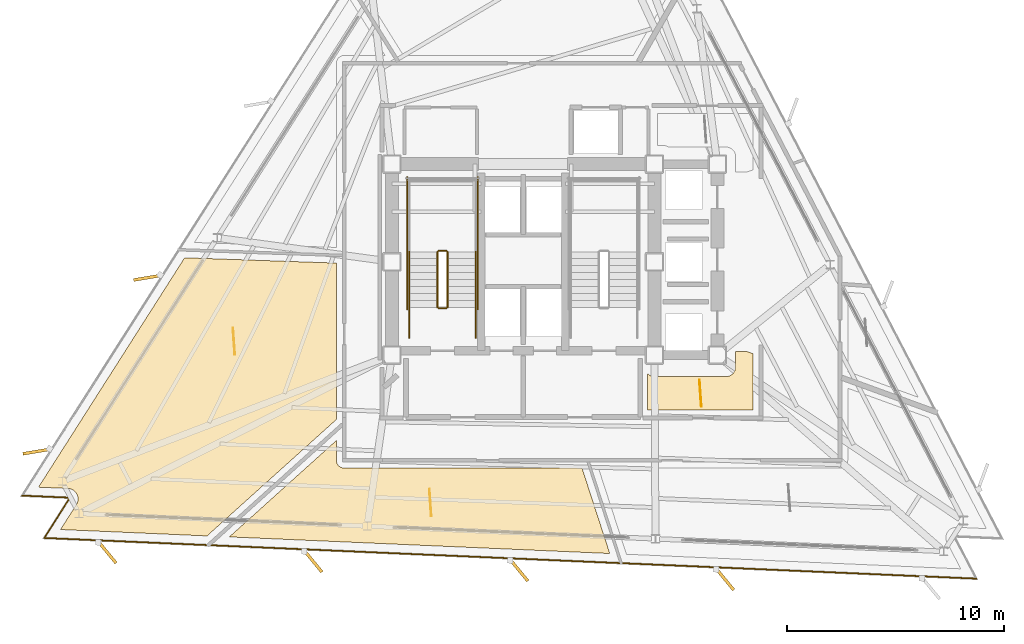
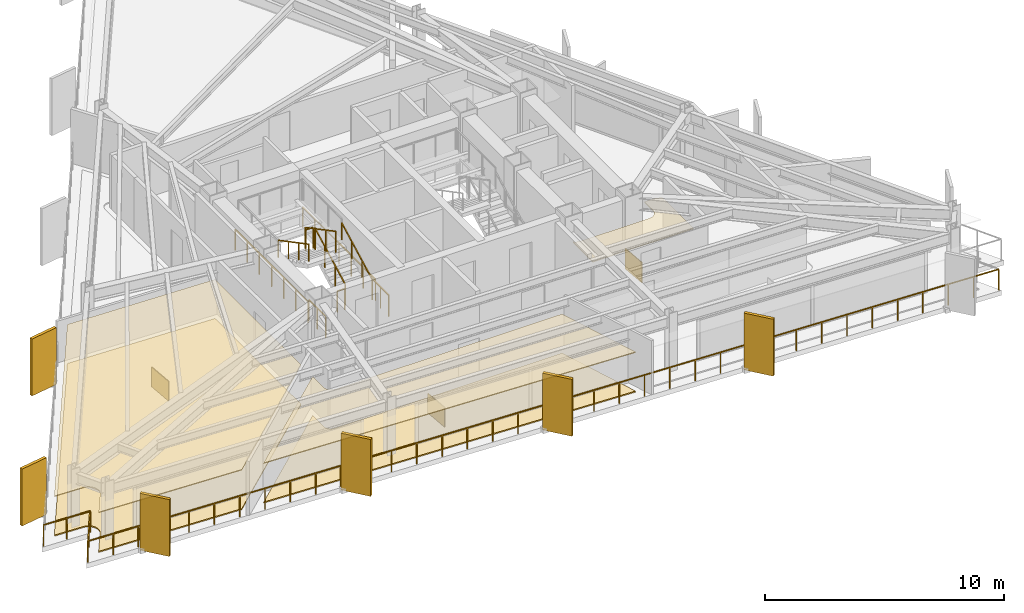
# One storey, part 10 of 12: 11 railings, 8 coverings, 6 shading devices.
"""IFC4 building model written with IfcOpenShell, lengths in metres."""

from ifc_helpers import new_model, si_unit, direction, frame, origin, origin_2d, place, context, subcontext, project, spatial, polyline, rectangle, outline, extrude, material, layer, layer_set, type_object, element, save


model = new_model("IFC4")

# Units and contexts
model_context = context("Model", 3, precision=1e-05, world=origin(), true_north=direction((0.0, 1.0)))
body_context = subcontext(model_context, "Body", "Model", "MODEL_VIEW")
ifc_project = project(units=[si_unit("LENGTHUNIT", "METRE"), si_unit("AREAUNIT", "SQUARE_METRE"), si_unit("VOLUMEUNIT", "CUBIC_METRE"), si_unit("PLANEANGLEUNIT", "RADIAN"), si_unit("MASSUNIT", "GRAM", prefix="KILO")], contexts=[model_context])

# Site, building, storey
site_placement = place(None, origin())
site = spatial("IfcSite", under=ifc_project, at=site_placement, CompositionType="ELEMENT")
building_placement = place(site_placement, origin())
building = spatial("IfcBuilding", under=site, at=building_placement, Name="Rocaltana Carrier Exchange", CompositionType="ELEMENT")
storey_placement = place(building_placement, frame((0.0, 0.0, 138.080078125)))
storey = spatial("IfcBuildingStorey", under=building, at=storey_placement, Name="L43", CompositionType="ELEMENT", Elevation=138.080078125)

# Coverings
ifc_material_1 = material(Name="Calcium Sulphate & Aluminium Pedestal", Category="aluminium")
ifc_layer_1 = layer(ifc_material_1, 0.06005859375)
ifc_layer_set_1 = layer_set([ifc_layer_1], Name="Calcium Sulphate & Aluminium Pedestal")
covering_type_1 = type_object("IfcCoveringType", Name="Anti-Static Raised Exchange Access Floor 60", PredefinedType="FLOORING", material=ifc_layer_set_1)
covering_1_placement = place(storey_placement, origin())
element("IfcCovering", 1, at=covering_1_placement, inside=storey, type_object=covering_type_1, Name="L43 Network Engineering Studio Finish Floor", PredefinedType="FLOORING", context=body_context, shape_type="SweptSolid", body=[
    extrude(outline(polyline([(-20.592041015625, -11.18798828125), (-20.584716796875, -11.176025390625), (-20.574951171875, -11.15869140625), (-20.562255859375, -11.1337890625), (-20.55419921875, -11.11572265625), (-20.544189453125, -11.089599609375), (-20.5380859375, -11.07080078125), (-20.530517578125, -11.043701171875), (-20.5263671875, -11.0244140625), (-20.521484375, -10.996826171875), (-20.519287109375, -10.97705078125), (-20.517333984375, -10.94921875), (-20.516845703125, -10.92919921875), (-20.517822265625, -10.9013671875), (-20.519287109375, -10.88134765625), (-20.523193359375, -10.853759765625), (-20.526611328125, -10.833984375), (-20.532958984375, -10.806884765625), (-20.53857421875, -10.787841796875), (-20.547607421875, -10.761474609375), (-20.554931640625, -10.742919921875), (-20.566650390625, -10.717529296875), (-20.575927734375, -10.69970703125), (-20.590087890625, -10.67578125), (-20.600830078125, -10.6591796875), (-20.6171875, -10.636474609375), (-20.6298828125, -10.62109375), (-20.6484375, -10.60009765625), (-20.66259765625, -10.5859375), (-20.68310546875, -10.567138671875), (-20.698486328125, -10.554443359375), (-20.720703125, -10.53759765625), (-20.7373046875, -10.526611328125), (-20.76123046875, -10.51220703125), (-20.77880859375, -10.502685546875), (-20.803955078125, -10.49072265625), (-20.822509765625, -10.483154296875), (-20.8486328125, -10.473876953125), (-20.867919921875, -10.468017578125), (-20.89501953125, -10.461181640625), (-20.91455078125, -10.45751953125), (-20.942138671875, -10.45361328125), (-20.9619140625, -10.45166015625), (-20.975830078125, -10.45068359375), (-22.34326171875, -10.39111328125), (-15.605712890625, 0.184814453125), (-8.610107421875, -0.0595703125), (-8.610107421875, -7.26806640625), (-14.5732421875, -12.63720703125), (-21.327392578125, -12.34228515625), (-20.592041015625, -11.18798828125)])), origin(), (0.0, 0.0, 1.0), 0.059814453125),
])
covering_2_placement = place(storey_placement, origin())
element("IfcCovering", 2, at=covering_2_placement, inside=storey, type_object=covering_type_1, Name="L43 Photonic Integration Workshop Finish Floor", PredefinedType="FLOORING", context=body_context, shape_type="SweptSolid", body=[
    extrude(outline(polyline([(-13.546875, -12.68212890625), (-8.610107421875, -8.23681640625), (-8.610107421875, -9.14990234375), (-8.609619140625, -9.163818359375), (-8.609375, -9.171630859375), (-8.606689453125, -9.198974609375), (-8.60546875, -9.206787109375), (-8.60009765625, -9.233642578125), (-8.59814453125, -9.2412109375), (-8.590087890625, -9.267578125), (-8.58740234375, -9.27490234375), (-8.576904296875, -9.30029296875), (-8.57373046875, -9.307373046875), (-8.560791015625, -9.331787109375), (-8.556640625, -9.33837890625), (-8.54150390625, -9.361083984375), (-8.53662109375, -9.367431640625), (-8.519287109375, -9.388916015625), (-8.513916015625, -9.39453125), (-8.49462890625, -9.4140625), (-8.48876953125, -9.419189453125), (-8.467529296875, -9.436767578125), (-8.461181640625, -9.44140625), (-8.4384765625, -9.456787109375), (-8.431640625, -9.460693359375), (-8.407470703125, -9.4736328125), (-8.400390625, -9.47705078125), (-8.375, -9.487548828125), (-8.36767578125, -9.490234375), (-8.34130859375, -9.498291015625), (-8.33349609375, -9.5), (-8.306640625, -9.50537109375), (-8.298828125, -9.506591796875), (-8.271484375, -9.50927734375), (-8.263671875, -9.509765625), (-8.25, -9.510009765625), (2.71142578125, -9.510009765625), (3.990966796875, -13.44775390625), (-13.546875, -12.68212890625)])), origin(), (0.0, 0.0, 1.0), 0.059814453125),
])
ifc_material_2 = material(Name="Mineral Fibre & Powder-Coated Aluminium", Category="aluminium")
ifc_layer_2 = layer(ifc_material_2, 0.044921875)
ifc_layer_set_2 = layer_set([ifc_layer_2], Name="Mineral Fibre & Powder-Coated Aluminium")
covering_type_2 = type_object("IfcCoveringType", Name="Micro-Perforated Acoustic Ceiling 45", PredefinedType="CEILING", material=ifc_layer_set_2)
covering_3_placement = place(storey_placement, frame((0.0, 0.0, 2.012939453125)))
element("IfcCovering", 3, at=covering_3_placement, inside=storey, type_object=covering_type_2, Name="L43 Network Engineering Studio Acoustic Ceiling", PredefinedType="CEILING", context=body_context, shape_type="SweptSolid", body=[
    extrude(outline(polyline([(-20.592041015625, -11.18798828125), (-20.584716796875, -11.176025390625), (-20.574951171875, -11.15869140625), (-20.562255859375, -11.1337890625), (-20.55419921875, -11.11572265625), (-20.544189453125, -11.089599609375), (-20.5380859375, -11.07080078125), (-20.530517578125, -11.043701171875), (-20.5263671875, -11.0244140625), (-20.521484375, -10.996826171875), (-20.519287109375, -10.97705078125), (-20.517333984375, -10.94921875), (-20.516845703125, -10.92919921875), (-20.517822265625, -10.9013671875), (-20.519287109375, -10.88134765625), (-20.523193359375, -10.853759765625), (-20.526611328125, -10.833984375), (-20.532958984375, -10.806884765625), (-20.53857421875, -10.787841796875), (-20.547607421875, -10.761474609375), (-20.554931640625, -10.742919921875), (-20.566650390625, -10.717529296875), (-20.575927734375, -10.69970703125), (-20.590087890625, -10.67578125), (-20.600830078125, -10.6591796875), (-20.6171875, -10.636474609375), (-20.6298828125, -10.62109375), (-20.6484375, -10.60009765625), (-20.66259765625, -10.5859375), (-20.68310546875, -10.567138671875), (-20.698486328125, -10.554443359375), (-20.720703125, -10.53759765625), (-20.7373046875, -10.526611328125), (-20.76123046875, -10.51220703125), (-20.77880859375, -10.502685546875), (-20.803955078125, -10.49072265625), (-20.822509765625, -10.483154296875), (-20.8486328125, -10.473876953125), (-20.867919921875, -10.468017578125), (-20.89501953125, -10.461181640625), (-20.91455078125, -10.45751953125), (-20.942138671875, -10.45361328125), (-20.9619140625, -10.45166015625), (-20.975830078125, -10.45068359375), (-22.34326171875, -10.39111328125), (-15.605712890625, 0.184814453125), (-8.610107421875, -0.0595703125), (-8.610107421875, -7.26806640625), (-14.5732421875, -12.63720703125), (-21.327392578125, -12.34228515625), (-20.592041015625, -11.18798828125)])), origin(), (0.0, 0.0, 1.0), 0.044921875),
])
covering_4_placement = place(storey_placement, frame((0.0, 0.0, 2.012939453125)))
element("IfcCovering", 4, at=covering_4_placement, inside=storey, type_object=covering_type_2, Name="L43 Photonic Integration Workshop Acoustic Ceiling", PredefinedType="CEILING", context=body_context, shape_type="SweptSolid", body=[
    extrude(outline(polyline([(-13.546875, -12.68212890625), (-8.610107421875, -8.23681640625), (-8.610107421875, -9.14990234375), (-8.609619140625, -9.163818359375), (-8.609375, -9.171630859375), (-8.606689453125, -9.198974609375), (-8.60546875, -9.206787109375), (-8.60009765625, -9.233642578125), (-8.59814453125, -9.2412109375), (-8.590087890625, -9.267578125), (-8.58740234375, -9.27490234375), (-8.576904296875, -9.30029296875), (-8.57373046875, -9.307373046875), (-8.560791015625, -9.331787109375), (-8.556640625, -9.33837890625), (-8.54150390625, -9.361083984375), (-8.53662109375, -9.367431640625), (-8.519287109375, -9.388916015625), (-8.513916015625, -9.39453125), (-8.49462890625, -9.4140625), (-8.48876953125, -9.419189453125), (-8.467529296875, -9.436767578125), (-8.461181640625, -9.44140625), (-8.4384765625, -9.456787109375), (-8.431640625, -9.460693359375), (-8.407470703125, -9.4736328125), (-8.400390625, -9.47705078125), (-8.375, -9.487548828125), (-8.36767578125, -9.490234375), (-8.34130859375, -9.498291015625), (-8.33349609375, -9.5), (-8.306640625, -9.50537109375), (-8.298828125, -9.506591796875), (-8.271484375, -9.50927734375), (-8.263671875, -9.509765625), (-8.25, -9.510009765625), (2.71142578125, -9.510009765625), (3.990966796875, -13.44775390625), (-13.546875, -12.68212890625)])), origin(), (0.0, 0.0, 1.0), 0.044921875),
])
covering_5_placement = place(storey_placement, frame((0.0, 0.0, 2.012939453125)))
element("IfcCovering", 5, at=covering_5_placement, inside=storey, type_object=covering_type_2, Name="L43 Peering Conference Room Acoustic Ceiling", PredefinedType="CEILING", context=body_context, shape_type="SweptSolid", body=[
    extrude(outline(polyline([(5.739990234375, -6.840087890625), (5.739990234375, -5.161865234375), (5.748779296875, -5.170654296875), (5.760498046875, -5.18115234375), (5.78173828125, -5.198486328125), (5.794189453125, -5.2080078125), (5.817138671875, -5.22314453125), (5.83056640625, -5.231201171875), (5.85498046875, -5.244140625), (5.869140625, -5.2509765625), (5.894287109375, -5.261474609375), (5.9091796875, -5.2666015625), (5.935546875, -5.274658203125), (5.95068359375, -5.278564453125), (5.977783203125, -5.283935546875), (5.9931640625, -5.2861328125), (6.0205078125, -5.288818359375), (6.036376953125, -5.289794921875), (6.050048828125, -5.2900390625), (9.35009765625, -5.2900390625), (9.36376953125, -5.289794921875), (9.37939453125, -5.288818359375), (9.40673828125, -5.2861328125), (9.42236328125, -5.283935546875), (9.44921875, -5.278564453125), (9.464599609375, -5.274658203125), (9.49072265625, -5.2666015625), (9.505615234375, -5.261474609375), (9.531005859375, -5.2509765625), (9.545166015625, -5.244140625), (9.5693359375, -5.231201171875), (9.582763671875, -5.22314453125), (9.605712890625, -5.2080078125), (9.618408203125, -5.198486328125), (9.639404296875, -5.18115234375), (9.651123046875, -5.170654296875), (9.670654296875, -5.151123046875), (9.68115234375, -5.139404296875), (9.698486328125, -5.118408203125), (9.7080078125, -5.105712890625), (9.72314453125, -5.082763671875), (9.731201171875, -5.0693359375), (9.744140625, -5.045166015625), (9.7509765625, -5.031005859375), (9.761474609375, -5.005615234375), (9.7666015625, -4.99072265625), (9.774658203125, -4.964599609375), (9.778564453125, -4.94921875), (9.783935546875, -4.92236328125), (9.7861328125, -4.90673828125), (9.788818359375, -4.87939453125), (9.789794921875, -4.86376953125), (9.7900390625, -4.85009765625), (9.7900390625, -4.139892578125), (10.322021484375, -4.139892578125), (10.60009765625, -4.2412109375), (10.60009765625, -6.840087890625), (5.739990234375, -6.840087890625)])), origin(), (0.0, 0.0, 1.0), 0.044921875),
])

# Railings
ifc_material_3 = material(Name="Brushed Architectural Stainless Tube", Category="steel")
ifc_layer_3 = layer(ifc_material_3, 0.048095703125)
ifc_layer_set_3 = layer_set([ifc_layer_3], Name="Brushed Architectural Stainless Tube")
railing_type_1 = type_object("IfcRailingType", Name="Stair Wall Handrail 920", PredefinedType="HANDRAIL", material=ifc_layer_set_3)
railing_1_placement = place(storey_placement, frame((-2.18994140625, -2.10009765625, 0.168701171875)))
element("IfcRailing", 6, at=railing_1_placement, inside=storey, type_object=railing_type_1, Name="L43 ST-1 stair handrail 1", PredefinedType="HANDRAIL", context=body_context, shape_type="SweptSolid", body=[
    extrude(rectangle(XDim=0.048095703125, YDim=0.048095703125, at=origin_2d()), frame((0.0, 0.0, 0.8759765625), z_axis=(0.0, 0.884359608194, 0.46680625895), x_axis=(-1.0, 0.0, 0.0)), (0.0, 0.0, 1.0), 2.894775390625),
    extrude(rectangle(XDim=0.0419921875, YDim=0.0419921875, at=origin_2d()), origin(), (0.0, 0.0, 1.0), 0.851806640625),
    extrude(rectangle(XDim=0.0419921875, YDim=0.0419921875, at=origin_2d()), frame((0.0, 0.853271484375, 0.450439453125)), (0.0, 0.0, 1.0), 0.851806640625),
    extrude(rectangle(XDim=0.0419921875, YDim=0.0419921875, at=origin_2d()), frame((0.0, 1.706787109375, 0.90087890625)), (0.0, 0.0, 1.0), 0.851806640625),
    extrude(rectangle(XDim=0.0419921875, YDim=0.0419921875, at=origin_2d()), frame((0.0, 2.56005859375, 1.351318359375)), (0.0, 0.0, 1.0), 0.851806640625),
])
railing_2_placement = place(storey_placement, frame((-5.25, 0.4599609375, 1.688720703125)))
element("IfcRailing", 7, at=railing_2_placement, inside=storey, type_object=railing_type_1, Name="L43 ST-1 stair handrail 2", PredefinedType="HANDRAIL", context=body_context, shape_type="SweptSolid", body=[
    extrude(rectangle(XDim=0.048095703125, YDim=0.048095703125, at=origin_2d()), frame((0.0, 0.0, 0.8759765625), z_axis=(0.0, -0.884359608194, 0.46680625895), x_axis=(1.0, 0.0, 0.0)), (0.0, 0.0, 1.0), 2.894775390625),
    extrude(rectangle(XDim=0.0419921875, YDim=0.0419921875, at=origin_2d()), origin(), (0.0, 0.0, 1.0), 0.851806640625),
    extrude(rectangle(XDim=0.0419921875, YDim=0.0419921875, at=origin_2d()), frame((0.0, -0.853271484375, 0.450439453125)), (0.0, 0.0, 1.0), 0.851806640625),
    extrude(rectangle(XDim=0.0419921875, YDim=0.0419921875, at=origin_2d()), frame((0.0, -1.706787109375, 0.90087890625)), (0.0, 0.0, 1.0), 0.851806640625),
    extrude(rectangle(XDim=0.0419921875, YDim=0.0419921875, at=origin_2d()), frame((0.0, -2.56005859375, 1.351318359375)), (0.0, 0.0, 1.0), 0.851806640625),
])
ifc_material_4 = material(Name="Powder-Coated Aluminium 6063-T6", Category="aluminium")
ifc_layer_4 = layer(ifc_material_4, 0.048095703125)
ifc_layer_set_4 = layer_set([ifc_layer_4], Name="Powder-Coated Aluminium 6063-T6")
railing_type_2 = type_object("IfcRailingType", Name="Stair Well Guardrail 1100", PredefinedType="GUARDRAIL", material=ifc_layer_set_4)
railing_3_placement = place(storey_placement, frame((-3.489990234375, -2.10009765625, 0.168701171875)))
element("IfcRailing", 8, at=railing_3_placement, inside=storey, type_object=railing_type_2, Name="L43 ST-1 stair guard 1", PredefinedType="GUARDRAIL", context=body_context, shape_type="SweptSolid", body=[
    extrude(rectangle(XDim=0.048095703125, YDim=0.048095703125, at=origin_2d()), frame((0.0, 0.0, 1.076171875), z_axis=(0.0, 0.884359608194, 0.46680625895), x_axis=(-1.0, 0.0, 0.0)), (0.0, 0.0, 1.0), 2.894775390625),
    extrude(rectangle(XDim=0.0419921875, YDim=0.0419921875, at=origin_2d()), origin(), (0.0, 0.0, 1.0), 1.052001953125),
    extrude(rectangle(XDim=0.0419921875, YDim=0.0419921875, at=origin_2d()), frame((0.0, 0.853271484375, 0.450439453125)), (0.0, 0.0, 1.0), 1.052001953125),
    extrude(rectangle(XDim=0.0419921875, YDim=0.0419921875, at=origin_2d()), frame((0.0, 1.706787109375, 0.90087890625)), (0.0, 0.0, 1.0), 1.052001953125),
    extrude(rectangle(XDim=0.0419921875, YDim=0.0419921875, at=origin_2d()), frame((0.0, 2.56005859375, 1.351318359375)), (0.0, 0.0, 1.0), 1.052001953125),
])
railing_4_placement = place(storey_placement, frame((-3.5400390625, 0.510009765625, 1.52001953125)))
element("IfcRailing", 9, at=railing_4_placement, inside=storey, type_object=railing_type_2, Name="L43 ST-1 stair guard 2", PredefinedType="GUARDRAIL", context=body_context, shape_type="SweptSolid", body=[
    extrude(rectangle(XDim=0.048095703125, YDim=0.048095703125, at=origin_2d()), frame((0.0, 0.0, 1.076171875), z_axis=(-1.0, 0.0, 0.0), x_axis=(0.0, -1.0, 0.0)), (0.0, 0.0, 1.0), 0.35986328125),
    extrude(rectangle(XDim=0.0419921875, YDim=0.0419921875, at=origin_2d()), origin(), (0.0, 0.0, 1.0), 1.052001953125),
    extrude(rectangle(XDim=0.0419921875, YDim=0.0419921875, at=origin_2d()), frame((-0.35986328125, 0.0, 0.0)), (0.0, 0.0, 1.0), 1.052001953125),
])
railing_5_placement = place(storey_placement, frame((-3.949951171875, 0.4599609375, 1.688720703125)))
element("IfcRailing", 10, at=railing_5_placement, inside=storey, type_object=railing_type_2, Name="L43 ST-1 stair guard 6", PredefinedType="GUARDRAIL", context=body_context, shape_type="SweptSolid", body=[
    extrude(rectangle(XDim=0.048095703125, YDim=0.048095703125, at=origin_2d()), frame((0.0, 0.0, 1.076171875), z_axis=(0.0, -0.884359608194, 0.46680625895), x_axis=(1.0, 0.0, 0.0)), (0.0, 0.0, 1.0), 2.894775390625),
    extrude(rectangle(XDim=0.0419921875, YDim=0.0419921875, at=origin_2d()), origin(), (0.0, 0.0, 1.0), 1.052001953125),
    extrude(rectangle(XDim=0.0419921875, YDim=0.0419921875, at=origin_2d()), frame((0.0, -0.853271484375, 0.450439453125)), (0.0, 0.0, 1.0), 1.052001953125),
    extrude(rectangle(XDim=0.0419921875, YDim=0.0419921875, at=origin_2d()), frame((0.0, -1.706787109375, 0.90087890625)), (0.0, 0.0, 1.0), 1.052001953125),
    extrude(rectangle(XDim=0.0419921875, YDim=0.0419921875, at=origin_2d()), frame((0.0, -2.56005859375, 1.351318359375)), (0.0, 0.0, 1.0), 1.052001953125),
])
railing_6_placement = place(storey_placement, frame((-3.5400390625, -2.14990234375, 0.0)))
element("IfcRailing", 11, at=railing_6_placement, inside=storey, type_object=railing_type_2, Name="L43 ST-1 stair guard 7", PredefinedType="GUARDRAIL", context=body_context, shape_type="SweptSolid", body=[
    extrude(rectangle(XDim=0.048095703125, YDim=0.048095703125, at=origin_2d()), frame((0.0, 0.0, 1.076171875), z_axis=(-1.0, 0.0, 0.0), x_axis=(0.0, -1.0, 0.0)), (0.0, 0.0, 1.0), 0.35986328125),
    extrude(rectangle(XDim=0.0419921875, YDim=0.0419921875, at=origin_2d()), origin(), (0.0, 0.0, 1.0), 1.052001953125),
    extrude(rectangle(XDim=0.0419921875, YDim=0.0419921875, at=origin_2d()), frame((-0.35986328125, 0.0, 0.0)), (0.0, 0.0, 1.0), 1.052001953125),
])
for number, where, name in (
    (12, (-2.18994140625, -3.5, 0.0), "L43 ST-1 stair guard 8"),
    (13, (-5.25, -3.5, 0.0), "L43 ST-1 stair guard 9"),
):
    element("IfcRailing", number, at=place(storey_placement, frame(where)), inside=storey, type_object=railing_type_2, Name=name, PredefinedType="GUARDRAIL", context=body_context, shape_type="SweptSolid", body=[
        extrude(rectangle(XDim=0.048095703125, YDim=0.048095703125, at=origin_2d()), frame((0.0, 0.0, 1.076171875), z_axis=(0.0, 1.0, 0.0), x_axis=(-1.0, 0.0, 0.0)), (0.0, 0.0, 1.0), 1.39990234375),
        extrude(rectangle(XDim=0.0419921875, YDim=0.0419921875, at=origin_2d()), origin(), (0.0, 0.0, 1.0), 1.052001953125),
        extrude(rectangle(XDim=0.0419921875, YDim=0.0419921875, at=origin_2d()), frame((0.0, 0.699951171875, 0.0)), (0.0, 0.0, 1.0), 1.052001953125),
        extrude(rectangle(XDim=0.0419921875, YDim=0.0419921875, at=origin_2d()), frame((0.0, 1.39990234375, 0.0)), (0.0, 0.0, 1.0), 1.052001953125),
    ])
for number, where, name in (
    (14, (-2.090087890625, -2.199951171875, 0.0), "L43 ST-1 stair guard 10"),
    (15, (-5.35009765625, -2.199951171875, 0.0), "L43 ST-1 stair guard 11"),
):
    element("IfcRailing", number, at=place(storey_placement, frame(where)), inside=storey, type_object=railing_type_2, Name=name, PredefinedType="GUARDRAIL", context=body_context, shape_type="SweptSolid", body=[
        extrude(rectangle(XDim=0.048095703125, YDim=0.048095703125, at=origin_2d()), frame((0.0, 0.0, 1.076171875), z_axis=(0.0, 1.0, 0.0), x_axis=(-1.0, 0.0, 0.0)), (0.0, 0.0, 1.0), 6.099853515625),
        extrude(rectangle(XDim=0.0419921875, YDim=0.0419921875, at=origin_2d()), origin(), (0.0, 0.0, 1.0), 1.052001953125),
        extrude(rectangle(XDim=0.0419921875, YDim=0.0419921875, at=origin_2d()), frame((0.0, 1.0166015625, 0.0)), (0.0, 0.0, 1.0), 1.052001953125),
        extrude(rectangle(XDim=0.0419921875, YDim=0.0419921875, at=origin_2d()), frame((0.0, 2.033203125, 0.0)), (0.0, 0.0, 1.0), 1.052001953125),
        extrude(rectangle(XDim=0.0419921875, YDim=0.0419921875, at=origin_2d()), frame((0.0, 3.0498046875, 0.0)), (0.0, 0.0, 1.0), 1.052001953125),
        extrude(rectangle(XDim=0.0419921875, YDim=0.0419921875, at=origin_2d()), frame((0.0, 4.066650390625, 0.0)), (0.0, 0.0, 1.0), 1.052001953125),
        extrude(rectangle(XDim=0.0419921875, YDim=0.0419921875, at=origin_2d()), frame((0.0, 5.083251953125, 0.0)), (0.0, 0.0, 1.0), 1.052001953125),
        extrude(rectangle(XDim=0.0419921875, YDim=0.0419921875, at=origin_2d()), frame((0.0, 6.099853515625, 0.0)), (0.0, 0.0, 1.0), 1.052001953125),
    ])

# Coverings
ifc_material_5 = material(Name="Honed Piedra Muneca Sandstone", Category="masonry")
ifc_layer_5 = layer(ifc_material_5, 0.034912109375)
ifc_layer_set_5 = layer_set([ifc_layer_5], Name="Honed Piedra Muneca Sandstone")
covering_type_3 = type_object("IfcCoveringType", Name="Stone Facade Cladding 35", PredefinedType="CLADDING", material=ifc_layer_set_5)
for number, where, z_axis, x_axis, name in (
    (16, (-13.333740234375, -3.663818359375, 0.0), (0.0, 0.0, 1.0), (-0.069756473744, 0.99756405026, 0.0), "L43 Stone Facade Cladding Panel 1"),
    (17, (-4.279296875, -11.09619140625, 0.0), (0.0, 0.0, 1.0), (-0.069756473744, 0.99756405026, 0.0), "L43 Stone Facade Cladding Panel 2"),
    (18, (8.169921875, -6.06494140625, 0.0), (0.0, 0.0, 1.0), (-0.069756473744, 0.99756405026, 0.0), "L43 Stone Facade Cladding Panel 4"),
):
    element("IfcCovering", number, at=place(storey_placement, frame(where, z_axis=z_axis, x_axis=x_axis)), inside=storey, type_object=covering_type_3, Name=name, PredefinedType="CLADDING", context=body_context, shape_type="SweptSolid", body=[
        extrude(rectangle(XDim=1.25, YDim=0.034912109375, at=origin_2d()), origin(), (0.0, 0.0, 1.0), 1.050048828125),
    ])

# Shading devices
ifc_material_6 = material(Name="Honed Bogota Sandstone & Concrete C45/55", Category="masonry")
ifc_layer_6 = layer(ifc_material_6, 0.139892578125)
ifc_layer_set_6 = layer_set([ifc_layer_6], Name="Honed Bogota Sandstone & Concrete C45/55")
shading_device_type = type_object("IfcShadingDeviceType", Name="Vertical Sandstone Shading Fin 1320x140", PredefinedType="USERDEFINED", material=ifc_layer_set_6)
for number, where, z_axis, x_axis, name in (
    (19, (-17.3046875, -0.7314453125, -0.1201171875), (0.0, 0.0, 1.0), (-0.986285601537, -0.165047605861, 0.0), "L43 Sandstone Vertical Fin F2-04"),
    (20, (-22.4091796875, -8.743896484375, -0.1201171875), (0.0, 0.0, 1.0), (-0.986285601537, -0.165047605861, 0.0), "L43 Sandstone Vertical Fin F2-05"),
    (21, (-19.18701171875, -13.37744140625, -0.1201171875), (0.0, 0.0, 1.0), (0.636078220278, -0.771624583388, 0.0), "L43 Sandstone Vertical Fin F3-01"),
    (22, (-9.696044921875, -13.7919921875, -0.1201171875), (0.0, 0.0, 1.0), (0.636078220278, -0.771624583388, 0.0), "L43 Sandstone Vertical Fin F3-02"),
    (23, (-0.205078125, -14.206298828125, -0.1201171875), (0.0, 0.0, 1.0), (0.636078220278, -0.771624583388, 0.0), "L43 Sandstone Vertical Fin F3-03"),
    (24, (9.285888671875, -14.62060546875, -0.1201171875), (0.0, 0.0, 1.0), (0.636078220278, -0.771624583388, 0.0), "L43 Sandstone Vertical Fin F3-04"),
):
    element("IfcShadingDevice", number, at=place(storey_placement, frame(where, z_axis=z_axis, x_axis=x_axis)), inside=storey, type_object=shading_device_type, Name=name, ObjectType="FIN", PredefinedType="USERDEFINED", context=body_context, shape_type="SweptSolid", body=[
        extrude(rectangle(XDim=1.320068359375, YDim=0.139892578125, at=origin_2d()), origin(), (0.0, 0.0, 1.0), 2.907958984375),
    ])

# Railing
ifc_material_7 = material(Name="Powder-Coated Aluminium 6063-T6", Category="aluminium")
ifc_layer_7 = layer(ifc_material_7, 0.06005859375)
ifc_layer_set_7 = layer_set([ifc_layer_7], Name="Powder-Coated Aluminium 6063-T6")
railing_type_3 = type_object("IfcRailingType", Name="Wind-Floor & Terrace Perimeter Guardrail 1100", PredefinedType="GUARDRAIL", material=ifc_layer_set_7)
railing_7_placement = place(storey_placement, frame((20.87890625, -14.60546875, 0.0)))
element("IfcRailing", 25, at=railing_7_placement, inside=storey, type_object=railing_type_3, Name="L43 Perimeter Balcony Guardrail 1", PredefinedType="GUARDRAIL", context=body_context, shape_type="SweptSolid", body=[
    extrude(rectangle(XDim=0.048095703125, YDim=0.048095703125, at=origin_2d()), frame((0.0, 0.0, 1.076171875), z_axis=(-0.999048277514, 0.043618106279, 0.0), x_axis=(-0.043618106279, -0.999048277514, 0.0)), (0.0, 0.0, 1.0), 42.992431640625),
    extrude(rectangle(XDim=0.048095703125, YDim=0.048095703125, at=origin_2d()), frame((-42.951416015625, 1.875244140625, 1.076171875), z_axis=(0.537320606179, 0.843378068351, 0.0), x_axis=(-0.843378068351, 0.537320606179, 0.0)), (0.0, 0.0, 1.0), 2.199951171875),
    extrude(rectangle(XDim=0.048095703125, YDim=0.048095703125, at=origin_2d()), frame((-41.769287109375, 3.730712890625, 1.076171875), z_axis=(-0.999048605837, 0.043610585593, 0.0), x_axis=(-0.043610585593, -0.999048605837, 0.0)), (0.0, 0.0, 1.0), 2.2001953125),
    extrude(rectangle(XDim=0.0419921875, YDim=0.0419921875, at=origin_2d()), origin(), (0.0, 0.0, 1.0), 1.052001953125),
    extrude(rectangle(XDim=0.0419921875, YDim=0.0419921875, at=origin_2d()), frame((-1.193115234375, 0.052001953125, 0.0)), (0.0, 0.0, 1.0), 1.052001953125),
    extrude(rectangle(XDim=0.0419921875, YDim=0.0419921875, at=origin_2d()), frame((-2.38623046875, 0.104248046875, 0.0)), (0.0, 0.0, 1.0), 1.052001953125),
    extrude(rectangle(XDim=0.0419921875, YDim=0.0419921875, at=origin_2d()), frame((-3.579345703125, 0.15625, 0.0)), (0.0, 0.0, 1.0), 1.052001953125),
    extrude(rectangle(XDim=0.0419921875, YDim=0.0419921875, at=origin_2d()), frame((-4.7724609375, 0.208251953125, 0.0)), (0.0, 0.0, 1.0), 1.052001953125),
    extrude(rectangle(XDim=0.0419921875, YDim=0.0419921875, at=origin_2d()), frame((-5.965576171875, 0.260498046875, 0.0)), (0.0, 0.0, 1.0), 1.052001953125),
    extrude(rectangle(XDim=0.0419921875, YDim=0.0419921875, at=origin_2d()), frame((-7.15869140625, 0.3125, 0.0)), (0.0, 0.0, 1.0), 1.052001953125),
    extrude(rectangle(XDim=0.0419921875, YDim=0.0419921875, at=origin_2d()), frame((-8.3515625, 0.36474609375, 0.0)), (0.0, 0.0, 1.0), 1.052001953125),
    extrude(rectangle(XDim=0.0419921875, YDim=0.0419921875, at=origin_2d()), frame((-9.544677734375, 0.416748046875, 0.0)), (0.0, 0.0, 1.0), 1.052001953125),
    extrude(rectangle(XDim=0.0419921875, YDim=0.0419921875, at=origin_2d()), frame((-10.73779296875, 0.46875, 0.0)), (0.0, 0.0, 1.0), 1.052001953125),
    extrude(rectangle(XDim=0.0419921875, YDim=0.0419921875, at=origin_2d()), frame((-11.930908203125, 0.52099609375, 0.0)), (0.0, 0.0, 1.0), 1.052001953125),
    extrude(rectangle(XDim=0.0419921875, YDim=0.0419921875, at=origin_2d()), frame((-13.1240234375, 0.572998046875, 0.0)), (0.0, 0.0, 1.0), 1.052001953125),
    extrude(rectangle(XDim=0.0419921875, YDim=0.0419921875, at=origin_2d()), frame((-14.317138671875, 0.625, 0.0)), (0.0, 0.0, 1.0), 1.052001953125),
    extrude(rectangle(XDim=0.0419921875, YDim=0.0419921875, at=origin_2d()), frame((-15.51025390625, 0.67724609375, 0.0)), (0.0, 0.0, 1.0), 1.052001953125),
    extrude(rectangle(XDim=0.0419921875, YDim=0.0419921875, at=origin_2d()), frame((-16.703369140625, 0.729248046875, 0.0)), (0.0, 0.0, 1.0), 1.052001953125),
    extrude(rectangle(XDim=0.0419921875, YDim=0.0419921875, at=origin_2d()), frame((-17.896484375, 0.78125, 0.0)), (0.0, 0.0, 1.0), 1.052001953125),
    extrude(rectangle(XDim=0.0419921875, YDim=0.0419921875, at=origin_2d()), frame((-19.089599609375, 0.83349609375, 0.0)), (0.0, 0.0, 1.0), 1.052001953125),
    extrude(rectangle(XDim=0.0419921875, YDim=0.0419921875, at=origin_2d()), frame((-20.28271484375, 0.885498046875, 0.0)), (0.0, 0.0, 1.0), 1.052001953125),
    extrude(rectangle(XDim=0.0419921875, YDim=0.0419921875, at=origin_2d()), frame((-21.4755859375, 0.9375, 0.0)), (0.0, 0.0, 1.0), 1.052001953125),
    extrude(rectangle(XDim=0.0419921875, YDim=0.0419921875, at=origin_2d()), frame((-22.668701171875, 0.98974609375, 0.0)), (0.0, 0.0, 1.0), 1.052001953125),
    extrude(rectangle(XDim=0.0419921875, YDim=0.0419921875, at=origin_2d()), frame((-23.86181640625, 1.041748046875, 0.0)), (0.0, 0.0, 1.0), 1.052001953125),
    extrude(rectangle(XDim=0.0419921875, YDim=0.0419921875, at=origin_2d()), frame((-25.054931640625, 1.093994140625, 0.0)), (0.0, 0.0, 1.0), 1.052001953125),
    extrude(rectangle(XDim=0.0419921875, YDim=0.0419921875, at=origin_2d()), frame((-26.248046875, 1.14599609375, 0.0)), (0.0, 0.0, 1.0), 1.052001953125),
    extrude(rectangle(XDim=0.0419921875, YDim=0.0419921875, at=origin_2d()), frame((-27.441162109375, 1.197998046875, 0.0)), (0.0, 0.0, 1.0), 1.052001953125),
    extrude(rectangle(XDim=0.0419921875, YDim=0.0419921875, at=origin_2d()), frame((-28.63427734375, 1.250244140625, 0.0)), (0.0, 0.0, 1.0), 1.052001953125),
    extrude(rectangle(XDim=0.0419921875, YDim=0.0419921875, at=origin_2d()), frame((-29.827392578125, 1.30224609375, 0.0)), (0.0, 0.0, 1.0), 1.052001953125),
    extrude(rectangle(XDim=0.0419921875, YDim=0.0419921875, at=origin_2d()), frame((-31.0205078125, 1.354248046875, 0.0)), (0.0, 0.0, 1.0), 1.052001953125),
    extrude(rectangle(XDim=0.0419921875, YDim=0.0419921875, at=origin_2d()), frame((-32.213623046875, 1.406494140625, 0.0)), (0.0, 0.0, 1.0), 1.052001953125),
    extrude(rectangle(XDim=0.0419921875, YDim=0.0419921875, at=origin_2d()), frame((-33.40673828125, 1.45849609375, 0.0)), (0.0, 0.0, 1.0), 1.052001953125),
    extrude(rectangle(XDim=0.0419921875, YDim=0.0419921875, at=origin_2d()), frame((-34.599853515625, 1.510498046875, 0.0)), (0.0, 0.0, 1.0), 1.052001953125),
    extrude(rectangle(XDim=0.0419921875, YDim=0.0419921875, at=origin_2d()), frame((-35.79296875, 1.562744140625, 0.0)), (0.0, 0.0, 1.0), 1.052001953125),
    extrude(rectangle(XDim=0.0419921875, YDim=0.0419921875, at=origin_2d()), frame((-36.98583984375, 1.61474609375, 0.0)), (0.0, 0.0, 1.0), 1.052001953125),
    extrude(rectangle(XDim=0.0419921875, YDim=0.0419921875, at=origin_2d()), frame((-38.178955078125, 1.6669921875, 0.0)), (0.0, 0.0, 1.0), 1.052001953125),
    extrude(rectangle(XDim=0.0419921875, YDim=0.0419921875, at=origin_2d()), frame((-39.3720703125, 1.718994140625, 0.0)), (0.0, 0.0, 1.0), 1.052001953125),
    extrude(rectangle(XDim=0.0419921875, YDim=0.0419921875, at=origin_2d()), frame((-40.565185546875, 1.77099609375, 0.0)), (0.0, 0.0, 1.0), 1.052001953125),
    extrude(rectangle(XDim=0.0419921875, YDim=0.0419921875, at=origin_2d()), frame((-41.75830078125, 1.8232421875, 0.0)), (0.0, 0.0, 1.0), 1.052001953125),
    extrude(rectangle(XDim=0.0419921875, YDim=0.0419921875, at=origin_2d()), frame((-42.951416015625, 1.875244140625, 0.0)), (0.0, 0.0, 1.0), 1.052001953125),
    extrude(rectangle(XDim=0.0419921875, YDim=0.0419921875, at=origin_2d()), frame((-42.3603515625, 2.802978515625, 0.0)), (0.0, 0.0, 1.0), 1.052001953125),
    extrude(rectangle(XDim=0.0419921875, YDim=0.0419921875, at=origin_2d()), frame((-41.769287109375, 3.730712890625, 0.0)), (0.0, 0.0, 1.0), 1.052001953125),
    extrude(rectangle(XDim=0.0419921875, YDim=0.0419921875, at=origin_2d()), frame((-42.8681640625, 3.77880859375, 0.0)), (0.0, 0.0, 1.0), 1.052001953125),
    extrude(rectangle(XDim=0.0419921875, YDim=0.0419921875, at=origin_2d()), frame((-43.96728515625, 3.82666015625, 0.0)), (0.0, 0.0, 1.0), 1.052001953125),
])

save(model, "model.ifc")
